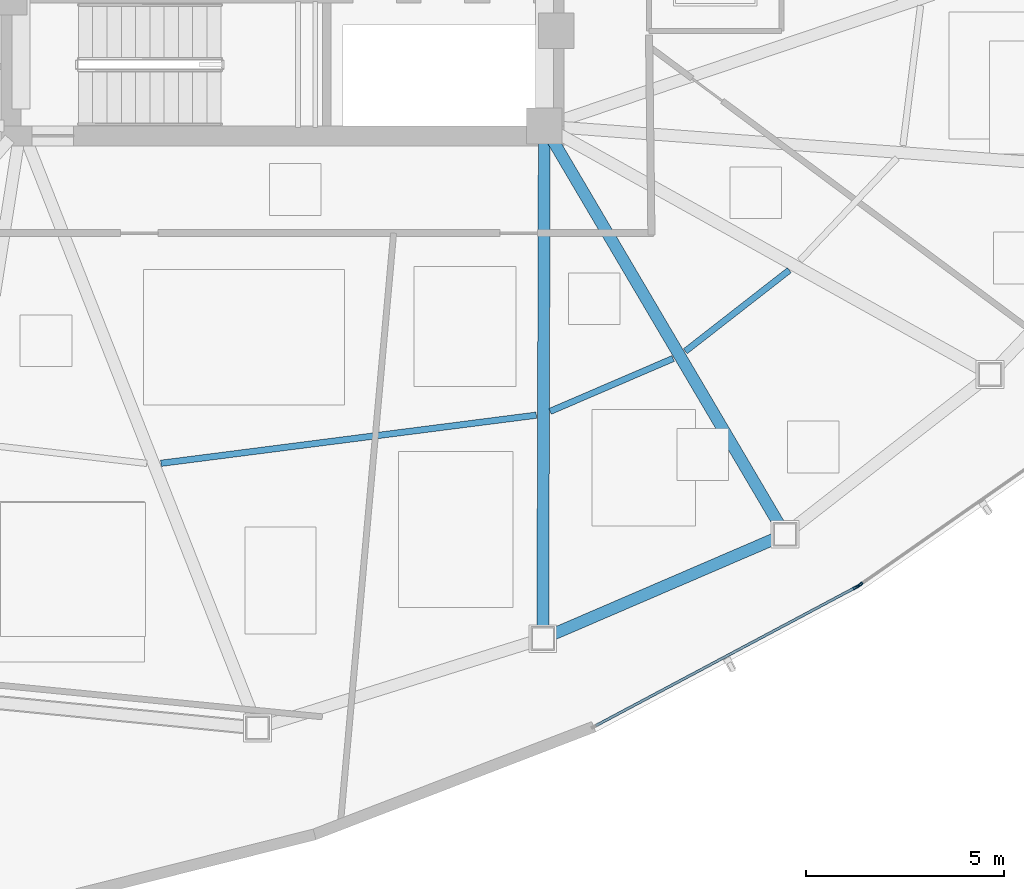
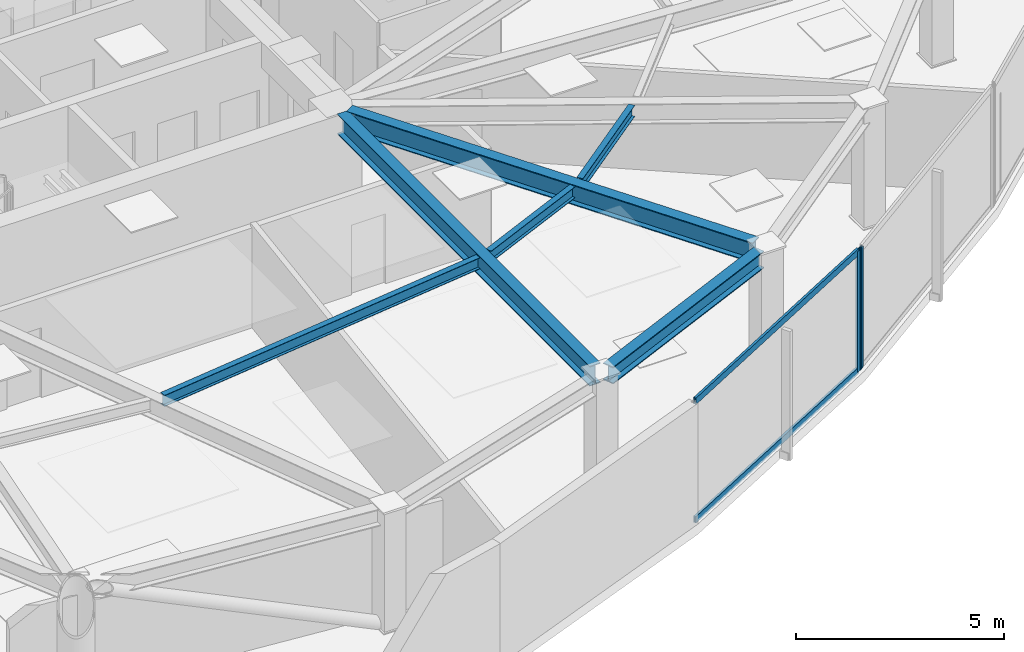
# One storey, part 3 of 17: 6 beams, 4 members, 2 elements without a shape of their own.
"""IFC4 building model written with IfcOpenShell, lengths in metres."""

from ifc_helpers import new_model, si_unit, direction, frame, origin, origin_2d, place, context, subcontext, project, spatial, hollow_rectangle, i_section, extrude, source, transform, mapped, material, layer, layer_set, material_profile, profile_set, type_object, type_shapes, element, aggregate, save


model = new_model("IFC4")

# Units and contexts
model_context = context("Model", 3, precision=1e-05, world=origin(), true_north=direction((0.0, 1.0)))
body_context = subcontext(model_context, "Body", "Model", "MODEL_VIEW")
ifc_project = project(units=[si_unit("LENGTHUNIT", "METRE"), si_unit("AREAUNIT", "SQUARE_METRE"), si_unit("VOLUMEUNIT", "CUBIC_METRE"), si_unit("PLANEANGLEUNIT", "RADIAN"), si_unit("MASSUNIT", "GRAM", prefix="KILO")], contexts=[model_context])

# Site, building, storey
site_placement = place(None, origin())
site = spatial("IfcSite", under=ifc_project, at=site_placement, CompositionType="ELEMENT")
building_placement = place(site_placement, origin())
building = spatial("IfcBuilding", under=site, at=building_placement, Name="Tavelor Broadcast Tower", CompositionType="ELEMENT")
storey_placement = place(building_placement, frame((0.0, 0.0, 165.64990234375)))
storey = spatial("IfcBuildingStorey", under=building, at=storey_placement, Name="L39", CompositionType="ELEMENT", Elevation=165.64990234375)

# Beams
ifc_material_1 = material(Name="Steel S355", Category="steel")
ifc_material_profile_1 = material_profile(ifc_material_1, i_section(OverallWidth=0.159912109375, OverallDepth=0.330078125, WebThickness=0.007568359375, FlangeThickness=0.011474609375, at=origin_2d()), Name="IPE 330")
ifc_profile_set_1 = profile_set([ifc_material_profile_1], Name="Steel S355")
beam_type_1 = type_object("IfcBeamType", Name="Composite Floor Joist T4 IPE 330", PredefinedType="JOIST", material=ifc_profile_set_1)
beam_1_placement = place(storey_placement, frame((46.931396484375, 30.294921875, 3.385009765625), z_axis=(0.991879761862, 0.127179157129, 0.0), x_axis=(-0.127179157129, 0.991879761862, 0.0)))
element("IfcBeam", 1, at=beam_1_placement, inside=storey, type_object=beam_type_1, Name="L39 Secondary Composite Floor Joist 08", PredefinedType="JOIST", context=body_context, shape_type="SweptSolid", body=[
    extrude(i_section(OverallWidth=0.159912109375, OverallDepth=0.330078125, WebThickness=0.007568359375, FlangeThickness=0.011474609375, at=origin_2d()), origin(), (0.0, 0.0, 1.0), 9.54443359375),
])
beam_2_placement = place(storey_placement, frame((56.744384765625, 31.603515625, 3.385009765625), z_axis=(0.918692008618, 0.394974674254, 0.0), x_axis=(-0.394974674254, 0.918692008618, 0.0)))
element("IfcBeam", 2, at=beam_2_placement, inside=storey, type_object=beam_type_1, Name="L39 Secondary Composite Floor Joist 09", PredefinedType="JOIST", context=body_context, shape_type="SweptSolid", body=[
    extrude(i_section(OverallWidth=0.159912109375, OverallDepth=0.330078125, WebThickness=0.007568359375, FlangeThickness=0.011474609375, at=origin_2d()), origin(), (0.0, 0.0, 1.0), 3.37744140625),
])
beam_3_placement = place(storey_placement, frame((60.156005859375, 33.120361328125, 3.385009765625), z_axis=(0.788651848012, 0.614840030112, 0.0), x_axis=(-0.614840030112, 0.788651848012, 0.0)))
element("IfcBeam", 3, at=beam_3_placement, inside=storey, type_object=beam_type_1, Name="L39 Secondary Composite Floor Joist 10", PredefinedType="JOIST", context=body_context, shape_type="SweptSolid", body=[
    extrude(i_section(OverallWidth=0.159912109375, OverallDepth=0.330078125, WebThickness=0.007568359375, FlangeThickness=0.011474609375, at=origin_2d()), origin(), (0.0, 0.0, 1.0), 3.32470703125),
])
ifc_material_profile_2 = material_profile(ifc_material_1, i_section(OverallWidth=0.300048828125, OverallDepth=0.5, WebThickness=0.014404296875, FlangeThickness=0.028076171875, at=origin_2d()), Name="HEB 500")
ifc_profile_set_2 = profile_set([ifc_material_profile_2], Name="Steel S355")
beam_type_2 = type_object("IfcBeamType", Name="Perimeter Spandrel Beam T4 HEB 500", PredefinedType="SPANDREL", material=ifc_profile_set_2)
beam_4_placement = place(storey_placement, frame((56.825439453125, 25.98681640625, 3.300048828125), z_axis=(0.91846180915, 0.395509677672, 0.0), x_axis=(-0.395509677672, 0.91846180915, 0.0)))
element("IfcBeam", 4, at=beam_4_placement, inside=storey, type_object=beam_type_2, Name="L39 Framed-Tube Ring Spandrel 09", PredefinedType="SPANDREL", context=body_context, shape_type="SweptSolid", body=[
    extrude(i_section(OverallWidth=0.300048828125, OverallDepth=0.5, WebThickness=0.014404296875, FlangeThickness=0.028076171875, at=origin_2d()), origin(), (0.0, 0.0, 1.0), 6.07470703125),
])
ifc_material_profile_3 = material_profile(ifc_material_1, i_section(OverallWidth=0.300048828125, OverallDepth=0.590087890625, WebThickness=0.012939453125, FlangeThickness=0.02490234375, at=origin_2d()), Name="HEA 600")
ifc_profile_set_3 = profile_set([ifc_material_profile_3], Name="Steel S355")
beam_type_3 = type_object("IfcBeamType", Name="Radial Floor Girder T4 HEA 600", PredefinedType="BEAM", material=ifc_profile_set_3)
beam_5_placement = place(storey_placement, frame((56.5986328125, 38.367919921875, 3.255126953125), z_axis=(-0.0029999865, -0.99999550003, 0.0), x_axis=(0.99999550003, -0.0029999865, 0.0)))
element("IfcBeam", 5, at=beam_5_placement, inside=storey, type_object=beam_type_3, Name="L39 Radial Primary Floor Girder 09", PredefinedType="BEAM", context=body_context, shape_type="SweptSolid", body=[
    extrude(i_section(OverallWidth=0.300048828125, OverallDepth=0.590087890625, WebThickness=0.012939453125, FlangeThickness=0.02490234375, at=origin_2d()), origin(), (0.0, 0.0, 1.0), 12.20703125),
])
beam_6_placement = place(storey_placement, frame((56.8193359375, 38.427734375, 3.255126953125), z_axis=(0.50778362975, -0.861484640233, 0.0), x_axis=(0.861484640233, 0.50778362975, 0.0)))
element("IfcBeam", 6, at=beam_6_placement, inside=storey, type_object=beam_type_3, Name="L39 Radial Primary Floor Girder 10", PredefinedType="BEAM", context=body_context, shape_type="SweptSolid", body=[
    extrude(i_section(OverallWidth=0.300048828125, OverallDepth=0.590087890625, WebThickness=0.012939453125, FlangeThickness=0.02490234375, at=origin_2d()), origin(), (0.0, 0.0, 1.0), 11.232421875),
])

# Curtain wall, member
ifc_material_2 = material(Name="Architectural Anodized Aluminium", Category="aluminium")
ifc_layer = layer(ifc_material_2, 0.18994140625)
ifc_layer_set = layer_set([ifc_layer], Name="Architectural Anodized Aluminium")
curtain_wall_type = type_object("IfcCurtainWallType", Name="Tower Mid-Zone Acoustic Curtain Wall CW03", PredefinedType="NOTDEFINED", material=ifc_layer_set)
curtain_wall_1_placement = place(storey_placement, origin())
curtain_wall_1 = element("IfcCurtainWall", 7, at=curtain_wall_1_placement, inside=storey, type_object=curtain_wall_type, Name="L39 Curtain Wall CW03 Run 413", PredefinedType="NOTDEFINED")
ifc_material_profile_4 = material_profile(ifc_material_2, hollow_rectangle(XDim=0.068115234375, YDim=0.18994140625, WallThickness=0.02197265625, at=origin_2d()), Name="RHS 68x190x22")
ifc_profile_set_4 = profile_set([ifc_material_profile_4], Name="Architectural Anodized Aluminium")
member_type_1 = type_object("IfcMemberType", Name="CW03 Extruded Aluminium Mullion 68x190", PredefinedType="MULLION", material=ifc_profile_set_4)
shared_shape_1 = source(origin(), body_context, "Body", "SweptSolid", [
    extrude(hollow_rectangle(XDim=0.068115234375, YDim=0.18994140625, WallThickness=0.02197265625, at=origin_2d()), origin(), (0.0, 0.0, 1.0), 3.550048828125),
])
type_shapes(member_type_1, [shared_shape_1])
member_1_placement = place(storey_placement, frame((64.466552734375, 27.173828125, 0.0), z_axis=(0.0, 0.0, 1.0), x_axis=(-0.469837080168, 0.882753146751, 0.0)))
member_1 = element("IfcMember", 8, at=member_1_placement, type_object=member_type_1, Name="CW03 mullion 2", PredefinedType="MULLION", context=body_context, shape_type="MappedRepresentation", body=[
    mapped(shared_shape_1, transform((0.0, 0.0, 0.0), scale=1.0)),
])

curtain_wall_2_placement = place(storey_placement, origin())
curtain_wall_2 = element("IfcCurtainWall", 9, at=curtain_wall_2_placement, inside=storey, type_object=curtain_wall_type, Name="L39 Curtain Wall CW03 Run 414", PredefinedType="NOTDEFINED")
member_2_placement = place(storey_placement, frame((64.5498046875, 27.22509765625, 0.0), z_axis=(0.0, 0.0, 1.0), x_axis=(-0.57321795093, 0.819402941617, 0.0)))
member_2 = element("IfcMember", 10, at=member_2_placement, type_object=member_type_1, Name="CW03 mullion 1", PredefinedType="MULLION", context=body_context, shape_type="MappedRepresentation", body=[
    mapped(shared_shape_1, transform((0.0, 0.0, 0.0), scale=1.0)),
])
aggregate(curtain_wall_2, [member_2])

# Member
ifc_material_profile_5 = material_profile(ifc_material_2, hollow_rectangle(XDim=0.068115234375, YDim=0.18994140625, WallThickness=0.02197265625, at=origin_2d()), Name="RHS 68x190x22")
ifc_profile_set_5 = profile_set([ifc_material_profile_5], Name="Architectural Anodized Aluminium")
member_type_2 = type_object("IfcMemberType", Name="CW03 Extruded Aluminium Transom 68x190", PredefinedType="USERDEFINED", material=ifc_profile_set_5)
shared_shape_2 = source(origin(), body_context, "Body", "SweptSolid", [
    extrude(hollow_rectangle(XDim=0.068115234375, YDim=0.18994140625, WallThickness=0.02197265625, at=origin_2d()), origin(), (0.0, 0.0, 1.0), 7.404296875),
])
type_shapes(member_type_2, [shared_shape_2])
member_3_placement = place(storey_placement, frame((57.900390625, 23.67919921875, 0.0341796875), z_axis=(0.882755140904, 0.469833333436, 0.0), x_axis=(-0.469833333436, 0.882755140904, 0.0)))
member_3 = element("IfcMember", 11, at=member_3_placement, type_object=member_type_2, Name="CW03 transom 1.1", ObjectType="TRANSOM", PredefinedType="USERDEFINED", context=body_context, shape_type="MappedRepresentation", body=[
    mapped(shared_shape_2, transform((0.0, 0.0, 0.0), scale=1.0)),
])

member_4_placement = place(storey_placement, frame((57.900390625, 23.67919921875, 3.51611328125), z_axis=(0.882755140904, 0.469833333436, 0.0), x_axis=(-0.469833333436, 0.882755140904, 0.0)))
member_4 = element("IfcMember", 12, at=member_4_placement, type_object=member_type_2, Name="CW03 transom 1.2", ObjectType="TRANSOM", PredefinedType="USERDEFINED", context=body_context, shape_type="MappedRepresentation", body=[
    mapped(shared_shape_2, transform((0.0, 0.0, 0.0), scale=1.0)),
])

aggregate(curtain_wall_1, [member_1, member_3, member_4])

save(model, "model.ifc")
